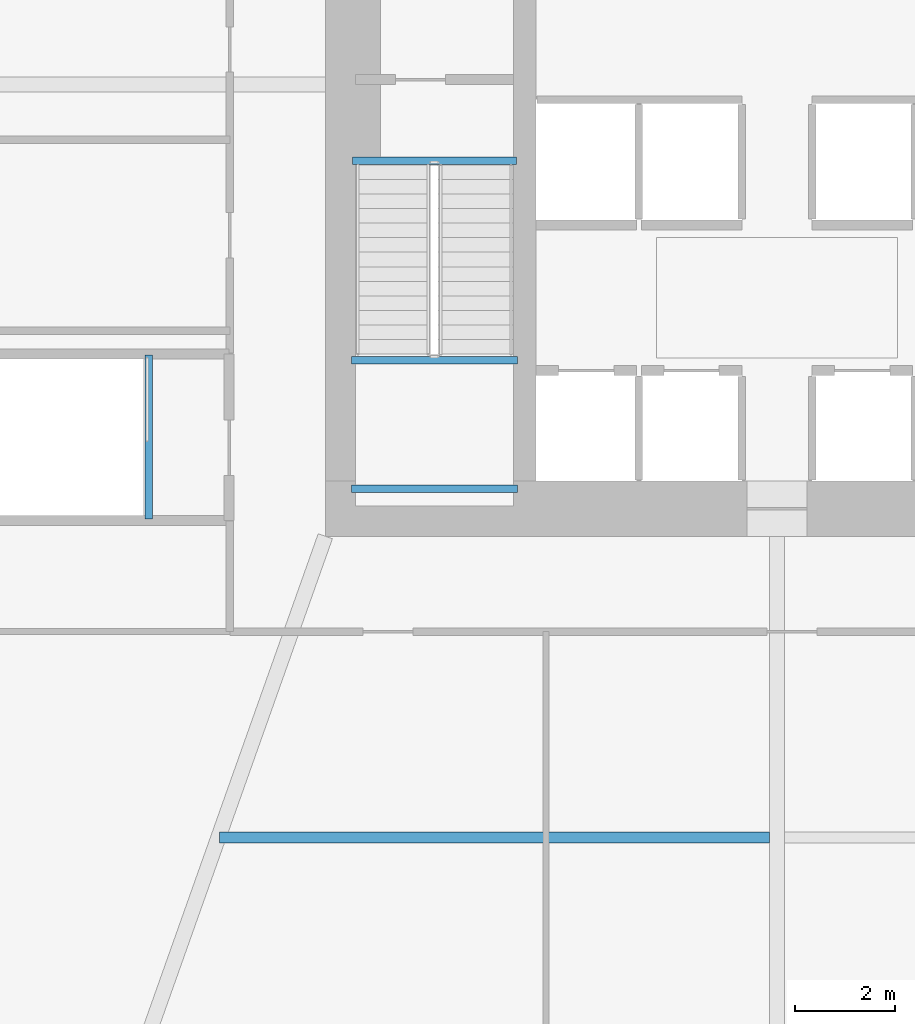
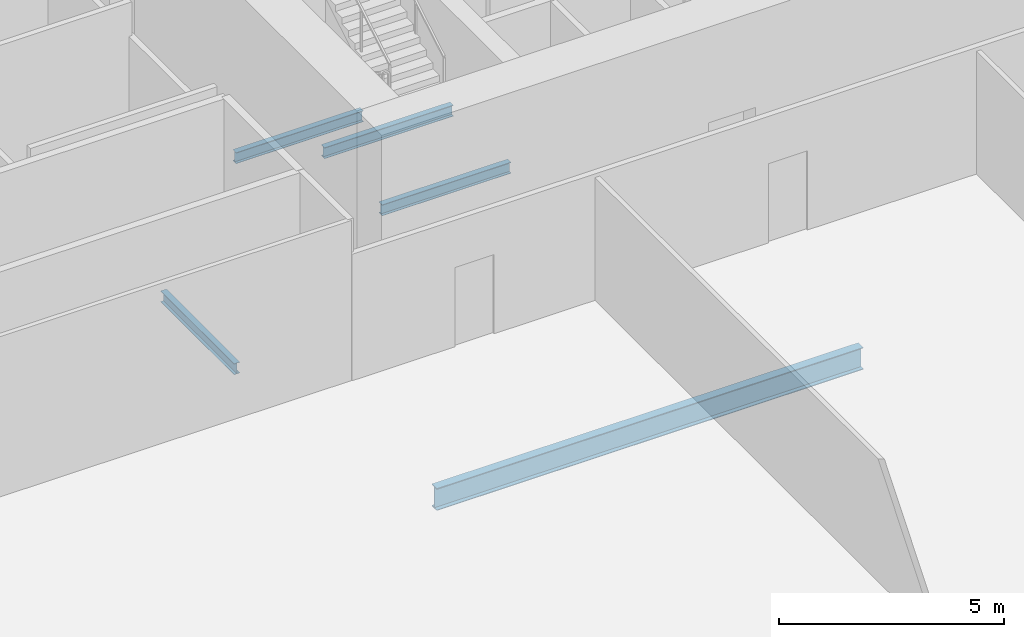
# One storey, part 5 of 24: 5 beams.
"""IFC4 building model written with IfcOpenShell, lengths in metres."""

from ifc_helpers import new_model, si_unit, direction, frame, origin, origin_2d, place, context, subcontext, project, spatial, i_section, extrude, material, material_profile, profile_set, type_object, element, save


model = new_model("IFC4")

# Units and contexts
model_context = context("Model", 3, precision=1e-05, world=origin(), true_north=direction((0.0, 1.0)))
body_context = subcontext(model_context, "Body", "Model", "MODEL_VIEW")
ifc_project = project(units=[si_unit("LENGTHUNIT", "METRE"), si_unit("AREAUNIT", "SQUARE_METRE"), si_unit("VOLUMEUNIT", "CUBIC_METRE"), si_unit("PLANEANGLEUNIT", "RADIAN"), si_unit("MASSUNIT", "GRAM", prefix="KILO")], contexts=[model_context])

# Site, building, storey
site_placement = place(None, origin())
site = spatial("IfcSite", under=ifc_project, at=site_placement, CompositionType="ELEMENT")
building_placement = place(site_placement, origin())
building = spatial("IfcBuilding", under=site, at=building_placement, Name="Belovzor Exchange Tower", CompositionType="ELEMENT")
storey_placement = place(building_placement, frame((0.0, 0.0, 19.199951171875)))
storey = spatial("IfcBuildingStorey", under=building, at=storey_placement, Name="L04", CompositionType="ELEMENT", Elevation=19.199951171875)

# Beams
ifc_material_1 = material(Name="Steel S355", Category="steel")
ifc_material_profile_1 = material_profile(ifc_material_1, i_section(OverallWidth=0.219970703125, OverallDepth=0.60009765625, WebThickness=0.011962890625, FlangeThickness=0.01904296875, at=origin_2d()))
ifc_profile_set_1 = profile_set([ifc_material_profile_1], Name="Steel S355")
beam_type_1 = type_object("IfcBeamType", Name="Podium Secondary Composite Floor Beam IPE 600", PredefinedType="BEAM", material=ifc_profile_set_1)
beam_placement = place(storey_placement, frame((17.68994140625, 13.800048828125, -0.64990234375), z_axis=(1.0, 0.0, 0.0), x_axis=(0.0, 1.0, 0.0)))
element("IfcBeam", 1, at=beam_placement, inside=storey, type_object=beam_type_1, Name="FB-600 Podium Secondary Composite Floor Beam IPE 600", PredefinedType="BEAM", context=body_context, shape_type="SweptSolid", body=[
    extrude(i_section(OverallWidth=0.219970703125, OverallDepth=0.60009765625, WebThickness=0.011962890625, FlangeThickness=0.01904296875, at=origin_2d()), origin(), (0.0, 0.0, 1.0), 10.9599609375),
])
ifc_material_2 = material(Name="Steel S355", Category="steel")
ifc_material_profile_2 = material_profile(ifc_material_2, i_section(OverallWidth=0.14990234375, OverallDepth=0.300048828125, WebThickness=0.007080078125, FlangeThickness=0.0107421875, at=origin_2d()))
ifc_profile_set_2 = profile_set([ifc_material_profile_2], Name="Steel S355")
beam_type_2 = type_object("IfcBeamType", Name="Secondary Trim Floor Joist IPE 300", PredefinedType="BEAM", material=ifc_profile_set_2)
for number, where, z_axis, x_axis, name in (
    (2, (20.320068359375, 23.31005859375, 2.050048828125), (1.0, 0.0, 0.0), (0.0, 1.0, 0.0), "FJ-300 Secondary Trim Floor Joist IPE 300"),
    (3, (20.320068359375, 20.75, 2.050048828125), (1.0, 0.0, 0.0), (0.0, 1.0, 0.0), "FJ-300 Secondary Trim Floor Joist IPE 300"),
):
    element("IfcBeam", number, at=place(storey_placement, frame(where, z_axis=z_axis, x_axis=x_axis)), inside=storey, type_object=beam_type_2, Name=name, PredefinedType="BEAM", context=body_context, shape_type="SweptSolid", body=[
        extrude(i_section(OverallWidth=0.14990234375, OverallDepth=0.300048828125, WebThickness=0.007080078125, FlangeThickness=0.0107421875, at=origin_2d()), origin(), (0.0, 0.0, 1.0), 3.309814453125),
    ])
for number, where, z_axis, x_axis, name in (
    (4, (20.340087890625, 27.280029296875, -0.5), (1.0, 0.0, 0.0), (0.0, 1.0, 0.0), "FJ-300 Secondary Trim Floor Joist IPE 300"),
    (5, (16.280029296875, 23.409912109375, -0.5), (0.0, -1.0, 0.0), (1.0, 0.0, 0.0), "FJ-300 Secondary Trim Floor Joist IPE 300"),
):
    element("IfcBeam", number, at=place(storey_placement, frame(where, z_axis=z_axis, x_axis=x_axis)), inside=storey, type_object=beam_type_2, Name=name, PredefinedType="BEAM", context=body_context, shape_type="SweptSolid", body=[
        extrude(i_section(OverallWidth=0.14990234375, OverallDepth=0.300048828125, WebThickness=0.007080078125, FlangeThickness=0.0107421875, at=origin_2d()), origin(), (0.0, 0.0, 1.0), 3.27001953125),
    ])

save(model, "model.ifc")
